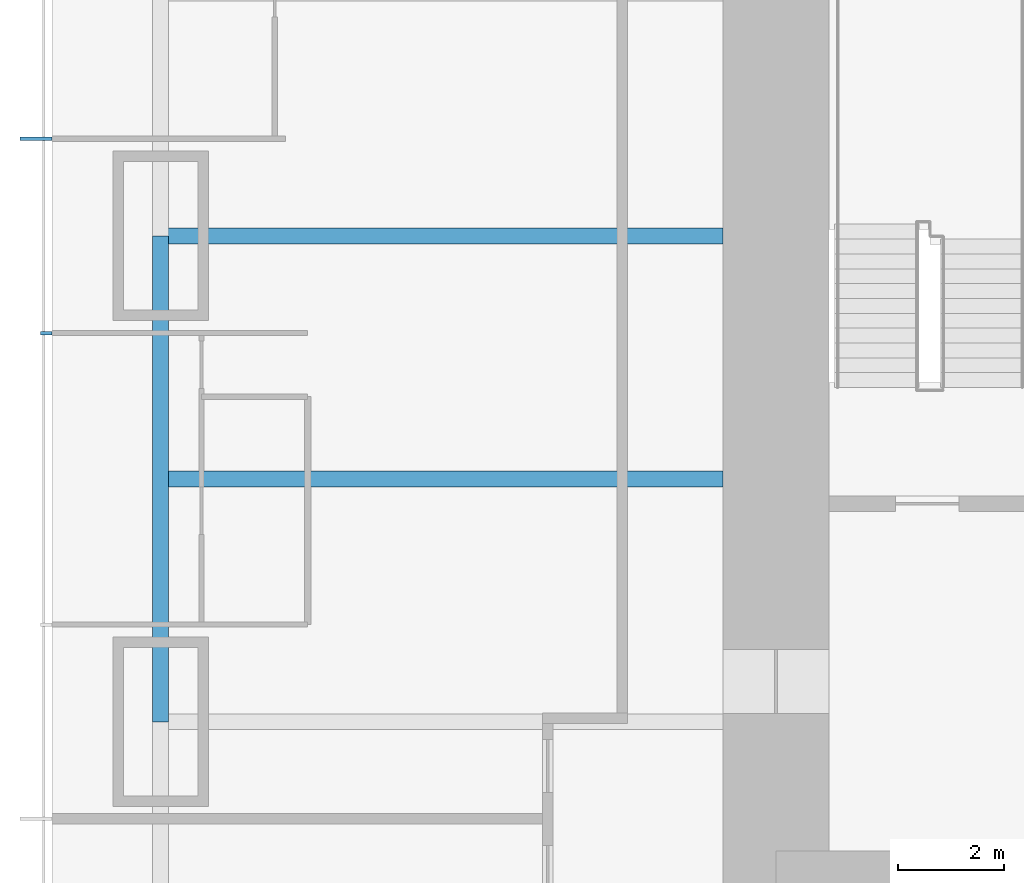
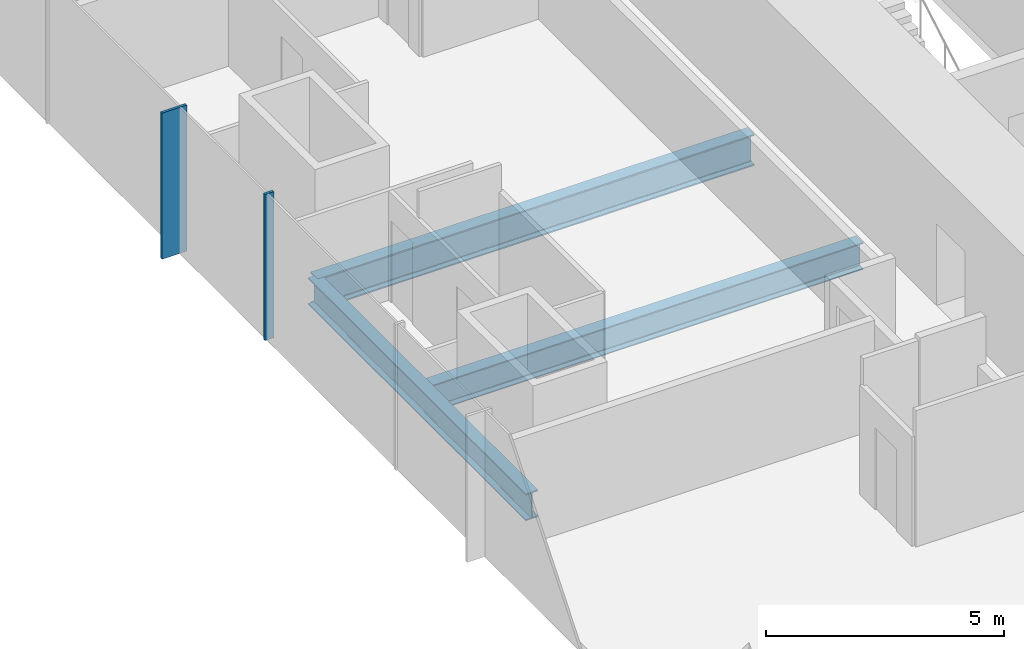
# One storey, part 3 of 13: 3 beams, 2 members, 1 element without a shape of its own.
"""IFC4 building model written with IfcOpenShell, lengths in metres."""

from ifc_helpers import new_model, si_unit, direction, frame, origin, origin_2d, place, context, subcontext, project, spatial, rectangle, i_section, extrude, material, material_profile, profile_set, type_object, element, aggregate, save


model = new_model("IFC4")

# Units and contexts
model_context = context("Model", 3, precision=1e-05, world=origin(), true_north=direction((0.0, 1.0)))
body_context = subcontext(model_context, "Body", "Model", "MODEL_VIEW")
ifc_project = project(units=[si_unit("LENGTHUNIT", "METRE"), si_unit("AREAUNIT", "SQUARE_METRE"), si_unit("VOLUMEUNIT", "CUBIC_METRE"), si_unit("PLANEANGLEUNIT", "RADIAN"), si_unit("MASSUNIT", "GRAM", prefix="KILO")], contexts=[model_context])

# Site, building, storey
site_placement = place(None, origin())
site = spatial("IfcSite", under=ifc_project, at=site_placement, CompositionType="ELEMENT")
building_placement = place(site_placement, origin())
building = spatial("IfcBuilding", under=site, at=building_placement, Name="Khuree Lantern Residences", CompositionType="ELEMENT")
storey_placement = place(building_placement, frame((0.0, 0.0, 111.0)))
storey = spatial("IfcBuildingStorey", under=building, at=storey_placement, Name="L27", CompositionType="ELEMENT", Elevation=111.0)

# Beams
ifc_material_1 = material(Name="Steel S355", Category="steel")
ifc_material_profile_1 = material_profile(ifc_material_1, i_section(OverallWidth=0.300048828125, OverallDepth=0.68994140625, WebThickness=0.014404296875, FlangeThickness=0.027099609375, FilletRadius=0.027099609375, at=origin_2d()), Name="HE 700 A")
ifc_profile_set_1 = profile_set([ifc_material_profile_1], Name="Steel S355")
beam_type_1 = type_object("IfcBeamType", Name="B-21A SECONDARY BEAM HE 700 A", PredefinedType="BEAM", material=ifc_profile_set_1)
beam_1_placement = place(storey_placement, frame((-27.10009765625, -4.580078125, -0.594970703125), z_axis=(1.0, 0.0, 0.0), x_axis=(0.0, 1.0, 0.0)))
element("IfcBeam", 1, at=beam_1_placement, inside=storey, type_object=beam_type_1, Name="Secondary beam W3", PredefinedType="BEAM", context=body_context, shape_type="SweptSolid", body=[
    extrude(i_section(OverallWidth=0.300048828125, OverallDepth=0.68994140625, WebThickness=0.014404296875, FlangeThickness=0.027099609375, FilletRadius=0.027099609375, at=origin_2d()), origin(), (0.0, 0.0, 1.0), 10.60009765625),
])
ifc_material_profile_2 = material_profile(ifc_material_1, i_section(OverallWidth=0.300048828125, OverallDepth=0.68994140625, WebThickness=0.014404296875, FlangeThickness=0.027099609375, FilletRadius=0.027099609375, at=origin_2d()), Name="HE 700 A")
ifc_profile_set_2 = profile_set([ifc_material_profile_2], Name="Steel S355")
beam_type_2 = type_object("IfcBeamType", Name="E-21 SPANDREL BEAM HE 700 A", PredefinedType="SPANDREL", material=ifc_profile_set_2)
beam_2_placement = place(storey_placement, frame((-27.10009765625, -9.159912109375, -0.594970703125), z_axis=(0.0, 1.0, 0.0), x_axis=(-1.0, 0.0, 0.0)))
element("IfcBeam", 2, at=beam_2_placement, inside=storey, type_object=beam_type_2, Name="Spandrel beam W3", PredefinedType="SPANDREL", context=body_context, shape_type="SweptSolid", body=[
    extrude(i_section(OverallWidth=0.300048828125, OverallDepth=0.68994140625, WebThickness=0.014404296875, FlangeThickness=0.027099609375, FilletRadius=0.027099609375, at=origin_2d()), origin(), (0.0, 0.0, 1.0), 9.159912109375),
])

# Curtain wall, member
ifc_material_2 = material(Name="Bronze anodised aluminium", Category="aluminium")
curtain_wall_type = type_object("IfcCurtainWallType", Name="CW-T1 TOWER FACE CURTAIN WALL", PredefinedType="USERDEFINED", material=ifc_material_2)
curtain_wall_placement = place(storey_placement, origin())
curtain_wall = element("IfcCurtainWall", 3, at=curtain_wall_placement, inside=storey, type_object=curtain_wall_type, Name="L27 WEST FACE CURTAIN WALL", ObjectType="Stick-built curtain wall", PredefinedType="USERDEFINED")
ifc_material_profile_3 = material_profile(ifc_material_2, rectangle(XDim=0.06494140625, YDim=0.60009765625, at=origin_2d()), Name="F1 65X600")
ifc_profile_set_3 = profile_set([ifc_material_profile_3], Name="Bronze anodised aluminium")
member_type_1 = type_object("IfcMemberType", Name="F1 BRONZE FIN MULLION TOWER 65X600", PredefinedType="MULLION", material=ifc_profile_set_3)
member_1_placement = place(storey_placement, frame((-29.449951171875, 1.83203125, 0.0), z_axis=(0.0, 0.0, 1.0), x_axis=(0.0, -1.0, 0.0)))
member_1 = element("IfcMember", 4, at=member_1_placement, type_object=member_type_1, Name="L27 WEST FACE FIN MULLION 37", PredefinedType="MULLION", context=body_context, shape_type="SweptSolid", body=[
    extrude(rectangle(XDim=0.06494140625, YDim=0.60009765625, at=origin_2d()), origin(), (0.0, 0.0, 1.0), 3.75),
])

# Beam
ifc_material_profile_4 = material_profile(ifc_material_1, i_section(OverallWidth=0.300048828125, OverallDepth=0.800048828125, WebThickness=0.017578125, FlangeThickness=0.032958984375, FilletRadius=0.030029296875, at=origin_2d()), Name="HE 800 B")
ifc_profile_set_4 = profile_set([ifc_material_profile_4], Name="Steel S355")
beam_type_3 = type_object("IfcBeamType", Name="G-21 GIRDER HE 800 B", PredefinedType="BEAM", material=ifc_profile_set_4)
beam_3_placement = place(storey_placement, frame((-27.10009765625, 0.0, -0.64990234375), z_axis=(1.0, 0.0, 0.0), x_axis=(0.0, 1.0, 0.0)))
element("IfcBeam", 5, at=beam_3_placement, inside=storey, type_object=beam_type_3, Name="Girder W3", PredefinedType="BEAM", context=body_context, shape_type="SweptSolid", body=[
    extrude(i_section(OverallWidth=0.300048828125, OverallDepth=0.800048828125, WebThickness=0.017578125, FlangeThickness=0.032958984375, FilletRadius=0.030029296875, at=origin_2d()), origin(), (0.0, 0.0, 1.0), 10.60009765625),
])

# Member
ifc_material_profile_5 = material_profile(ifc_material_2, rectangle(XDim=0.06494140625, YDim=0.219970703125, at=origin_2d()), Name="M1 65X220")
ifc_profile_set_5 = profile_set([ifc_material_profile_5], Name="Bronze anodised aluminium")
member_type_2 = type_object("IfcMemberType", Name="M1 BRONZE MULLION TOWER 65X220", PredefinedType="MULLION", material=ifc_profile_set_5)
member_2_placement = place(storey_placement, frame((-29.260009765625, -1.83203125, 0.0), z_axis=(0.0, 0.0, 1.0), x_axis=(0.0, -1.0, 0.0)))
member_2 = element("IfcMember", 6, at=member_2_placement, type_object=member_type_2, Name="L27 WEST FACE MULLION 38", PredefinedType="MULLION", context=body_context, shape_type="SweptSolid", body=[
    extrude(rectangle(XDim=0.06494140625, YDim=0.219970703125, at=origin_2d()), origin(), (0.0, 0.0, 1.0), 3.75),
])

aggregate(curtain_wall, [member_1, member_2])

save(model, "model.ifc")
